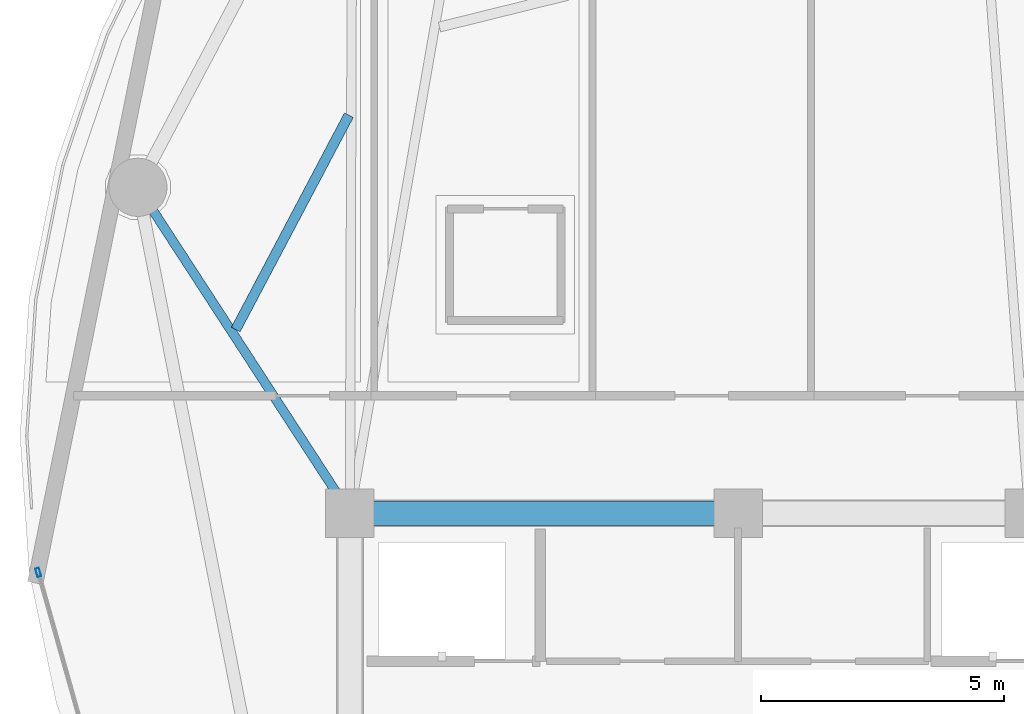
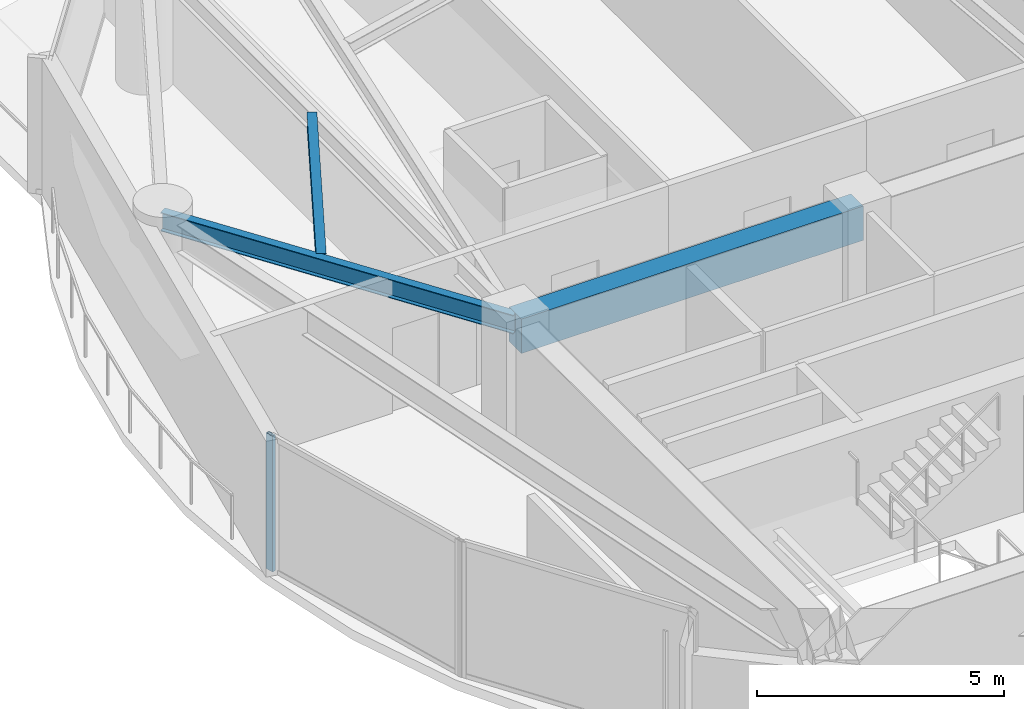
# One storey, part 7 of 28: 3 beams, 1 member, 1 element without a shape of its own.
"""IFC4 building model written with IfcOpenShell, lengths in metres."""

from ifc_helpers import new_model, si_unit, direction, frame, origin, origin_2d, place, context, subcontext, project, spatial, rectangle, hollow_rectangle, i_section, extrude, material, layer, layer_set, material_profile, profile_set, type_object, element, aggregate, save


model = new_model("IFC4")

# Units and contexts
model_context = context("Model", 3, precision=1e-05, world=origin(), true_north=direction((0.0, 1.0)))
body_context = subcontext(model_context, "Body", "Model", "MODEL_VIEW")
ifc_project = project(units=[si_unit("LENGTHUNIT", "METRE"), si_unit("AREAUNIT", "SQUARE_METRE"), si_unit("VOLUMEUNIT", "CUBIC_METRE"), si_unit("PLANEANGLEUNIT", "RADIAN"), si_unit("MASSUNIT", "GRAM", prefix="KILO")], contexts=[model_context])

# Site, building, storey
site_placement = place(None, origin())
site = spatial("IfcSite", under=ifc_project, at=site_placement, CompositionType="ELEMENT")
building_placement = place(site_placement, origin())
building = spatial("IfcBuilding", under=site, at=building_placement, Name="Kazevale Care Tower and Concert Hall", CompositionType="ELEMENT")
storey_placement = place(building_placement, frame((0.0, 0.0, 135.0)))
storey = spatial("IfcBuildingStorey", under=building, at=storey_placement, Name="L35", CompositionType="ELEMENT", Elevation=135.0)

# Curtain wall, member
ifc_material_1 = material(Name="Aluminium 6063-T6 and Low-E Glass", Category="aluminium")
ifc_layer = layer(ifc_material_1, 0.179931640625)
ifc_layer_set = layer_set([ifc_layer], Name="Aluminium 6063-T6 and Low-E Glass")
curtain_wall_type = type_object("IfcCurtainWallType", Name="Waist & Upper Residential Curtain Wall CW-4", PredefinedType="NOTDEFINED", material=ifc_layer_set)
curtain_wall_placement = place(storey_placement, origin())
curtain_wall = element("IfcCurtainWall", 1, at=curtain_wall_placement, inside=storey, type_object=curtain_wall_type, Name="cw:L35:f12", PredefinedType="NOTDEFINED")
ifc_material_2 = material(Name="Aluminium 6063-T6", Category="aluminium")
ifc_material_profile_1 = material_profile(ifc_material_2, hollow_rectangle(XDim=0.080078125, YDim=0.179931640625, WallThickness=0.0048828125, at=origin_2d()), Name="ALU80x180x5")
ifc_profile_set_1 = profile_set([ifc_material_profile_1], Name="Aluminium 6063-T6")
member_type = type_object("IfcMemberType", Name="CW-4 Mullion ALU80x180x5", PredefinedType="MULLION", material=ifc_profile_set_1)
member_placement = place(storey_placement, frame((15.576904296875, 35.18359375, 0.0), z_axis=(0.0, 0.0, 1.0), x_axis=(-0.962499078876, -0.271284948278, 0.0)))
member = element("IfcMember", 2, at=member_placement, type_object=member_type, Name="CW-4 mullion 2", PredefinedType="MULLION", context=body_context, shape_type="SweptSolid", body=[
    extrude(hollow_rectangle(XDim=0.080078125, YDim=0.179931640625, WallThickness=0.0048828125, at=origin_2d()), origin(), (0.0, 0.0, 1.0), 3.360107421875),
])
aggregate(curtain_wall, [member])

# Beams
ifc_material_3 = material(Name="Concrete C60", Category="concrete")
ifc_material_profile_2 = material_profile(ifc_material_3, rectangle(XDim=0.5, YDim=0.85009765625, at=origin_2d()), Name="RC-B500x850")
ifc_profile_set_2 = profile_set([ifc_material_profile_2], Name="Concrete C60")
beam_type_1 = type_object("IfcBeamType", Name="Core Coupling Beam RC500x850", PredefinedType="LINTEL", material=ifc_profile_set_2)
beam_1_placement = place(storey_placement, frame((30.0, 36.39990234375, 2.93505859375), z_axis=(-1.0, 0.0, 0.0), x_axis=(0.0, -1.0, 0.0)))
element("IfcBeam", 3, at=beam_1_placement, inside=storey, type_object=beam_type_1, Name="beam:L35:coretie:7", PredefinedType="LINTEL", context=body_context, shape_type="SweptSolid", body=[
    extrude(rectangle(XDim=0.5, YDim=0.85009765625, at=origin_2d()), origin(), (0.0, 0.0, 1.0), 8.0),
])
ifc_material_4 = material(Name="Steel ASTM A572 Gr 50", Category="steel")
ifc_material_profile_3 = material_profile(ifc_material_4, i_section(OverallWidth=0.19091796875, OverallDepth=0.4599609375, WebThickness=0.010009765625, FlangeThickness=0.01611328125, at=origin_2d()), Name="W460x82")
ifc_profile_set_3 = profile_set([ifc_material_profile_3], Name="Steel ASTM A572 Gr 50")
beam_type_2 = type_object("IfcBeamType", Name="Radial Floor Beam W460x82", PredefinedType="BEAM", material=ifc_profile_set_3)
beam_2_placement = place(storey_placement, frame((22.0, 36.39990234375, 3.1298828125), z_axis=(-0.5451617613, 0.83833087383, 0.0), x_axis=(-0.83833087383, -0.5451617613, 0.0)))
element("IfcBeam", 4, at=beam_2_placement, inside=storey, type_object=beam_type_2, Name="beam:L35:rad:09", PredefinedType="BEAM", context=body_context, shape_type="SweptSolid", body=[
    extrude(i_section(OverallWidth=0.19091796875, OverallDepth=0.4599609375, WebThickness=0.010009765625, FlangeThickness=0.01611328125, at=origin_2d()), origin(), (0.0, 0.0, 1.0), 8.01611328125),
])
ifc_material_profile_4 = material_profile(ifc_material_4, i_section(OverallWidth=0.205078125, OverallDepth=0.35400390625, WebThickness=0.009521484375, FlangeThickness=0.016845703125, at=origin_2d()), Name="W360x79")
ifc_profile_set_4 = profile_set([ifc_material_profile_4], Name="Steel ASTM A572 Gr 50")
beam_type_3 = type_object("IfcBeamType", Name="Secondary Floor Joist W360x79", PredefinedType="JOIST", material=ifc_profile_set_4)
beam_3_placement = place(storey_placement, frame((21.97802734375, 44.60693359375, 3.18310546875), z_axis=(-0.466809583155, -0.884357853515, 0.0), x_axis=(0.884357853515, -0.466809583155, 0.0)))
element("IfcBeam", 5, at=beam_3_placement, inside=storey, type_object=beam_type_3, Name="beam:L35:joist:08", PredefinedType="JOIST", context=body_context, shape_type="SweptSolid", body=[
    extrude(i_section(OverallWidth=0.205078125, OverallDepth=0.35400390625, WebThickness=0.009521484375, FlangeThickness=0.016845703125, at=origin_2d()), origin(), (0.0, 0.0, 1.0), 4.99560546875),
])

save(model, "model.ifc")
